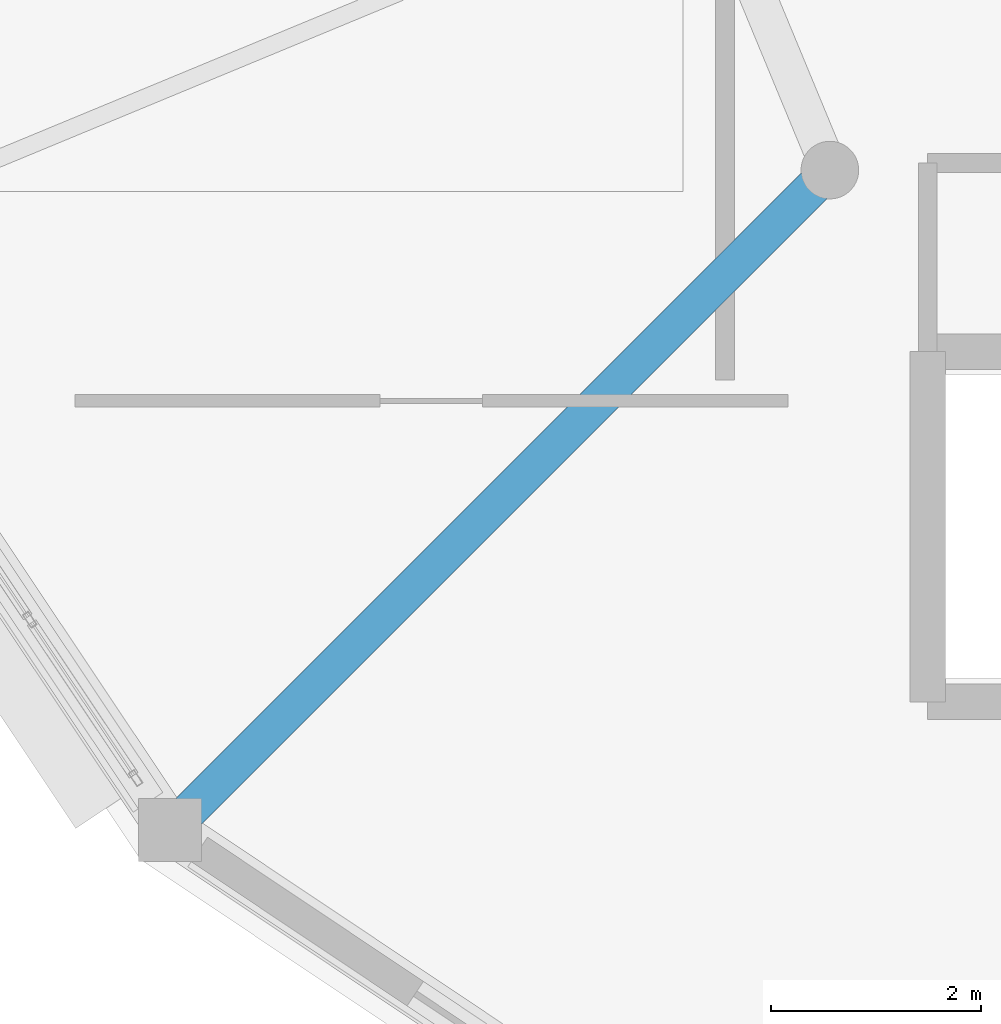
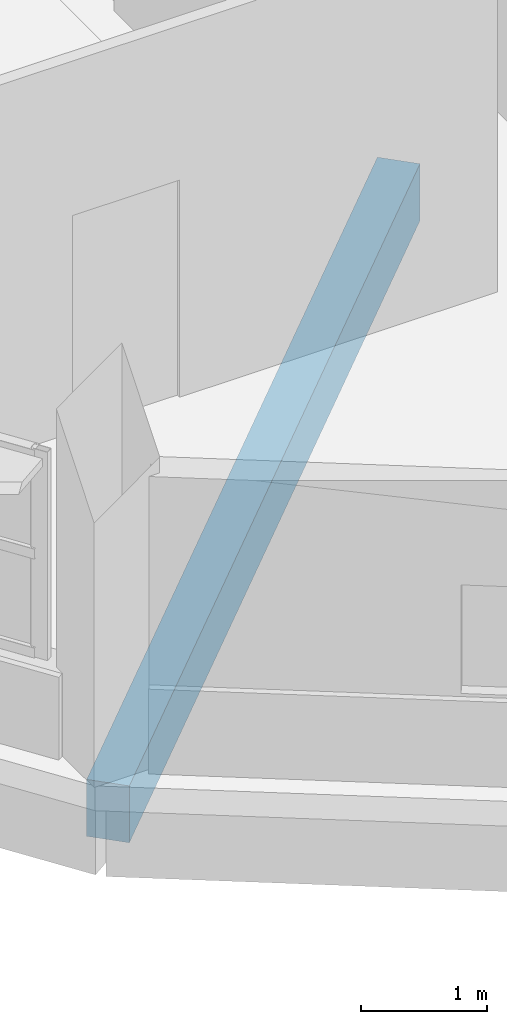
# One storey, part 66 of 121: 1 beam.
"""IFC4 building model written with IfcOpenShell, lengths in metres."""

from ifc_helpers import new_model, si_unit, direction, frame, origin, origin_2d, place, context, subcontext, project, spatial, rectangle, extrude, material, material_profile, profile_set, type_object, element, save


model = new_model("IFC4")

# Units and contexts
model_context = context("Model", 3, precision=1e-05, world=origin(), true_north=direction((0.0, 1.0)))
body_context = subcontext(model_context, "Body", "Model", "MODEL_VIEW")
ifc_project = project(units=[si_unit("LENGTHUNIT", "METRE"), si_unit("AREAUNIT", "SQUARE_METRE"), si_unit("VOLUMEUNIT", "CUBIC_METRE"), si_unit("PLANEANGLEUNIT", "RADIAN"), si_unit("MASSUNIT", "GRAM", prefix="KILO")], contexts=[model_context])

# Site, building, storey
site_placement = place(None, origin())
site = spatial("IfcSite", under=ifc_project, at=site_placement, CompositionType="ELEMENT")
building_placement = place(site_placement, origin())
building = spatial("IfcBuilding", under=site, at=building_placement, Name="Vespera Passage Community Centre", CompositionType="ELEMENT")
storey_placement = place(building_placement, frame((0.0, 0.0, 8.699951171875)))
storey = spatial("IfcBuildingStorey", under=building, at=storey_placement, Name="L02", CompositionType="ELEMENT", Elevation=8.699951171875)

# Beam
ifc_material = material(Name="Concrete f'c 35 MPa", Category="concrete")
ifc_material_profile = material_profile(ifc_material, rectangle(XDim=0.35009765625, YDim=0.550048828125, at=origin_2d()), Name="RC350X550")
ifc_profile_set = profile_set([ifc_material_profile], Name="Concrete f'c 35 MPa")
beam_type = type_object("IfcBeamType", Name="BM-J-350X550", PredefinedType="JOIST", material=ifc_profile_set)
beam_placement = place(storey_placement, frame((135.20166015625, 19.20166015625, -0.514892578125), z_axis=(-0.707106781187, -0.707106781187, 0.0), x_axis=(0.707106781187, -0.707106781187, 0.0)))
element("IfcBeam", 1, at=beam_placement, inside=storey, type_object=beam_type, Name="V3 L02 Radial Girder 6", PredefinedType="JOIST", context=body_context, shape_type="SweptSolid", body=[
    extrude(rectangle(XDim=0.35009765625, YDim=0.550048828125, at=origin_2d()), origin(), (0.0, 0.0, 1.0), 8.89990234375),
])

save(model, "model.ifc")
